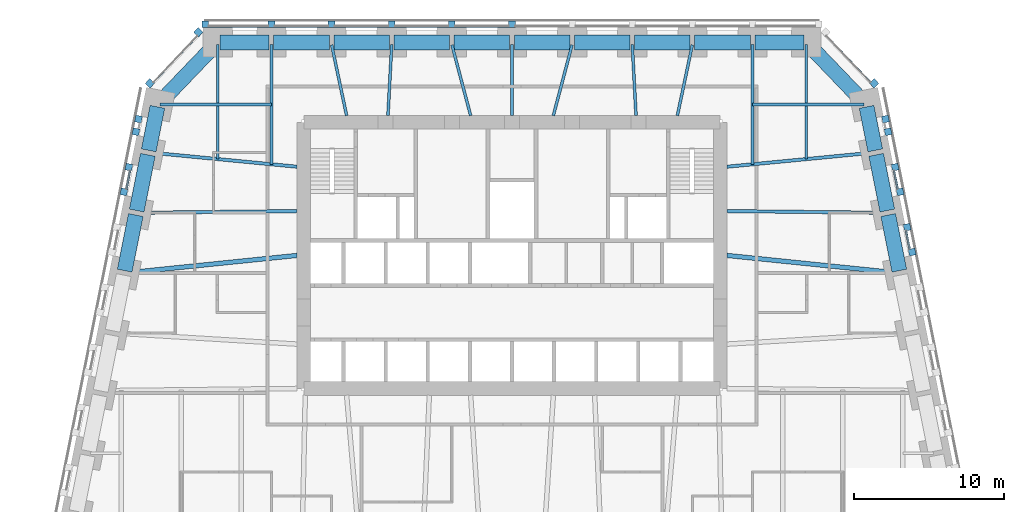
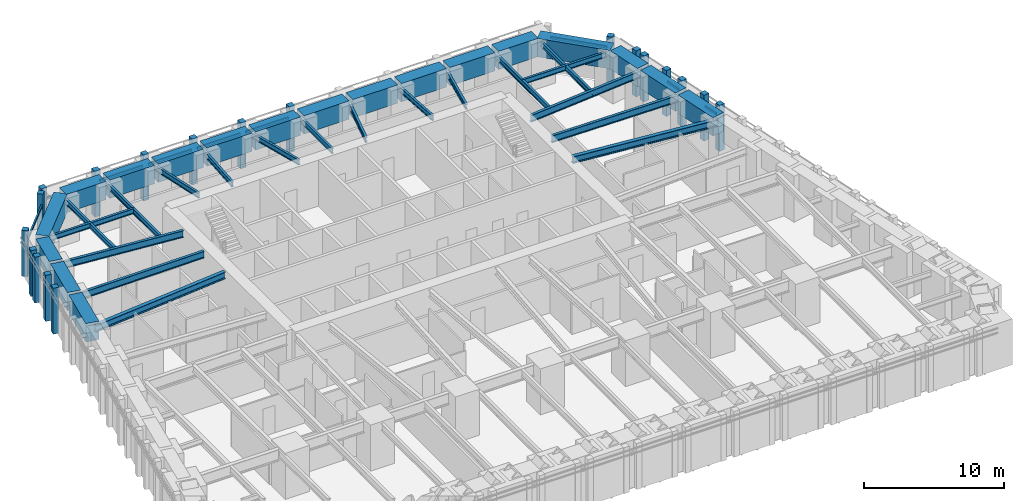
# One storey, part 4 of 16: 37 beams, 29 members, 8 elements without a shape of their own.
"""IFC4 building model written with IfcOpenShell, lengths in metres."""

from ifc_helpers import new_model, si_unit, direction, frame, origin, origin_2d, place, context, subcontext, project, spatial, rectangle, i_section, extrude, material, material_profile, profile_set, type_object, element, aggregate, save


model = new_model("IFC4")

# Units and contexts
model_context = context("Model", 3, precision=1e-05, world=origin(), true_north=direction((0.0, 1.0)))
body_context = subcontext(model_context, "Body", "Model", "MODEL_VIEW")
ifc_project = project(units=[si_unit("LENGTHUNIT", "METRE"), si_unit("AREAUNIT", "SQUARE_METRE"), si_unit("VOLUMEUNIT", "CUBIC_METRE"), si_unit("PLANEANGLEUNIT", "RADIAN"), si_unit("MASSUNIT", "GRAM", prefix="KILO")], contexts=[model_context])

# Site, building, storey
site_placement = place(None, origin())
site = spatial("IfcSite", under=ifc_project, at=site_placement, CompositionType="ELEMENT")
building_placement = place(site_placement, origin())
building = spatial("IfcBuilding", under=site, at=building_placement, Name="Isbrekke Arena Tower", CompositionType="ELEMENT")
storey_placement = place(building_placement, frame((0.0, 0.0, 44.0)))
storey = spatial("IfcBuildingStorey", under=building, at=storey_placement, Name="L08", CompositionType="ELEMENT", Elevation=44.0)

# Beams
ifc_material_1 = material(Name="Steel S355", Category="steel")
ifc_material_profile_1 = material_profile(ifc_material_1, i_section(OverallWidth=0.219970703125, OverallDepth=0.60009765625, WebThickness=0.011962890625, FlangeThickness=0.01904296875, FilletRadius=0.02392578125, at=origin_2d()), Name="IPE 600")
ifc_profile_set_1 = profile_set([ifc_material_profile_1], Name="Steel S355")
beam_type_1 = type_object("IfcBeamType", Name="B1 IPE 600", PredefinedType="BEAM", material=ifc_profile_set_1)
beam_1_placement = place(storey_placement, frame((24.83984375, 17.838134765625, 3.550048828125), z_axis=(-0.999943729589, 0.010608376645, 0.0), x_axis=(-0.010608376645, -0.999943729589, 0.0)))
element("IfcBeam", 1, at=beam_1_placement, inside=storey, type_object=beam_type_1, Name="B1 beam E-E09 L08", PredefinedType="BEAM", context=body_context, shape_type="SweptSolid", body=[
    extrude(i_section(OverallWidth=0.219970703125, OverallDepth=0.60009765625, WebThickness=0.011962890625, FlangeThickness=0.01904296875, FilletRadius=0.02392578125, at=origin_2d()), origin(), (0.0, 0.0, 1.0), 10.540283203125),
])
for number, where, z_axis, x_axis, name in (
    (2, (24.030517578125, 21.837158203125, 3.550048828125), (-0.995393091527, -0.095878012805, 0.0), (0.095878012805, -0.995393091527, 0.0), "B1 beam E-E10 L08"),
    (3, (-24.030517578125, 21.837158203125, 3.550048828125), (0.995393091527, -0.095878012805, 0.0), (0.095878012805, 0.995393091527, 0.0), "B1 beam E-W02 L08"),
):
    element("IfcBeam", number, at=place(storey_placement, frame(where, z_axis=z_axis, x_axis=x_axis)), inside=storey, type_object=beam_type_1, Name=name, PredefinedType="BEAM", context=body_context, shape_type="SweptSolid", body=[
        extrude(i_section(OverallWidth=0.219970703125, OverallDepth=0.60009765625, WebThickness=0.011962890625, FlangeThickness=0.01904296875, FilletRadius=0.02392578125, at=origin_2d()), origin(), (0.0, 0.0, 1.0), 9.775390625),
    ])
beam_2_placement = place(storey_placement, frame((-24.83984375, 17.838134765625, 3.550048828125), z_axis=(0.999943729589, 0.010608376645, 0.0), x_axis=(-0.010608376645, 0.999943729589, 0.0)))
element("IfcBeam", 4, at=beam_2_placement, inside=storey, type_object=beam_type_1, Name="B1 beam E-W03 L08", PredefinedType="BEAM", context=body_context, shape_type="SweptSolid", body=[
    extrude(i_section(OverallWidth=0.219970703125, OverallDepth=0.60009765625, WebThickness=0.011962890625, FlangeThickness=0.01904296875, FilletRadius=0.02392578125, at=origin_2d()), origin(), (0.0, 0.0, 1.0), 10.540283203125),
])
ifc_material_2 = material(Name="Steel S355", Category="steel")
ifc_material_profile_2 = material_profile(ifc_material_2, i_section(OverallWidth=0.18994140625, OverallDepth=0.449951171875, WebThickness=0.009521484375, FlangeThickness=0.0146484375, FilletRadius=0.02099609375, at=origin_2d()), Name="IPE 450")
ifc_profile_set_2 = profile_set([ifc_material_profile_2], Name="Steel S355")
beam_type_2 = type_object("IfcBeamType", Name="B2 IPE 450", PredefinedType="BEAM", material=ifc_profile_set_2)
for number, where, z_axis, x_axis, name in (
    (5, (23.40283203125, 25.029296875, 3.625), (-1.0, 0.0, 0.0), (0.0, -1.0, 0.0), "B2 beam E-E11 L08"),
    (6, (-23.40283203125, 25.029296875, 3.625), (1.0, 0.0, 0.0), (0.0, 1.0, 0.0), "B2 beam E-W01 L08"),
):
    element("IfcBeam", number, at=place(storey_placement, frame(where, z_axis=z_axis, x_axis=x_axis)), inside=storey, type_object=beam_type_2, Name=name, PredefinedType="BEAM", context=body_context, shape_type="SweptSolid", body=[
        extrude(i_section(OverallWidth=0.18994140625, OverallDepth=0.449951171875, WebThickness=0.009521484375, FlangeThickness=0.0146484375, FilletRadius=0.02099609375, at=origin_2d()), origin(), (0.0, 0.0, 1.0), 7.40283203125),
    ])
ifc_material_3 = material(Name="Steel S355", Category="steel")
ifc_material_profile_3 = material_profile(ifc_material_3, i_section(OverallWidth=0.18994140625, OverallDepth=0.449951171875, WebThickness=0.009521484375, FlangeThickness=0.0146484375, FilletRadius=0.02099609375, at=origin_2d()), Name="IPE 450")
ifc_profile_set_3 = profile_set([ifc_material_profile_3], Name="Steel S355")
beam_type_3 = type_object("IfcBeamType", Name="B3 IPE 450", PredefinedType="BEAM", material=ifc_profile_set_3)
beam_3_placement = place(storey_placement, frame((19.574951171875, 29.02490234375, 3.625), z_axis=(0.0, -1.0, 0.0), x_axis=(1.0, 0.0, 0.0)))
element("IfcBeam", 7, at=beam_3_placement, inside=storey, type_object=beam_type_3, Name="B3 beam N-N01 L08", PredefinedType="BEAM", context=body_context, shape_type="SweptSolid", body=[
    extrude(i_section(OverallWidth=0.18994140625, OverallDepth=0.449951171875, WebThickness=0.009521484375, FlangeThickness=0.0146484375, FilletRadius=0.02099609375, at=origin_2d()), origin(), (0.0, 0.0, 1.0), 7.616943359375),
])
for number, where, z_axis, x_axis, name in (
    (8, (16.0, 29.02490234375, 3.625), (0.0, -1.0, 0.0), (1.0, 0.0, 0.0), "B3 beam N-N02 L08"),
    (9, (-16.0, 29.02490234375, 3.625), (0.0, -1.0, 0.0), (1.0, 0.0, 0.0), "B3 beam N-N10 L08"),
):
    element("IfcBeam", number, at=place(storey_placement, frame(where, z_axis=z_axis, x_axis=x_axis)), inside=storey, type_object=beam_type_3, Name=name, PredefinedType="BEAM", context=body_context, shape_type="SweptSolid", body=[
        extrude(i_section(OverallWidth=0.18994140625, OverallDepth=0.449951171875, WebThickness=0.009521484375, FlangeThickness=0.0146484375, FilletRadius=0.02099609375, at=origin_2d()), origin(), (0.0, 0.0, 1.0), 7.961181640625),
    ])
beam_4_placement = place(storey_placement, frame((-19.574951171875, 29.02490234375, 3.625), z_axis=(0.0, -1.0, 0.0), x_axis=(1.0, 0.0, 0.0)))
element("IfcBeam", 10, at=beam_4_placement, inside=storey, type_object=beam_type_3, Name="B3 beam N-N11 L08", PredefinedType="BEAM", context=body_context, shape_type="SweptSolid", body=[
    extrude(i_section(OverallWidth=0.18994140625, OverallDepth=0.449951171875, WebThickness=0.009521484375, FlangeThickness=0.0146484375, FilletRadius=0.02099609375, at=origin_2d()), origin(), (0.0, 0.0, 1.0), 7.616943359375),
])
beam_5_placement = place(storey_placement, frame((11.995849609375, 29.005859375, 3.625), z_axis=(-0.207036135686, -0.978333296234, 0.0), x_axis=(0.978333296234, -0.207036135686, 0.0)))
element("IfcBeam", 11, at=beam_5_placement, inside=storey, type_object=beam_type_3, Name="B3 beam N-N03 L08", PredefinedType="BEAM", context=body_context, shape_type="SweptSolid", body=[
    extrude(i_section(OverallWidth=0.18994140625, OverallDepth=0.449951171875, WebThickness=0.009521484375, FlangeThickness=0.0146484375, FilletRadius=0.02099609375, at=origin_2d()), origin(), (0.0, 0.0, 1.0), 4.81005859375),
])
beam_6_placement = place(storey_placement, frame((8.000244140625, 29.02001953125, 3.625), z_axis=(0.05284078094, -0.998602950061, 0.0), x_axis=(0.998602950061, 0.05284078094, 0.0)))
element("IfcBeam", 12, at=beam_6_placement, inside=storey, type_object=beam_type_3, Name="B3 beam N-N04 L08", PredefinedType="BEAM", context=body_context, shape_type="SweptSolid", body=[
    extrude(i_section(OverallWidth=0.18994140625, OverallDepth=0.449951171875, WebThickness=0.009521484375, FlangeThickness=0.0146484375, FilletRadius=0.02099609375, at=origin_2d()), origin(), (0.0, 0.0, 1.0), 4.7265625),
])
beam_7_placement = place(storey_placement, frame((3.993896484375, 29.00146484375, 3.625), z_axis=(-0.255778031922, -0.966735536942, 0.0), x_axis=(0.966735536942, -0.255778031922, 0.0)))
element("IfcBeam", 13, at=beam_7_placement, inside=storey, type_object=beam_type_3, Name="B3 beam N-N05 L08", PredefinedType="BEAM", context=body_context, shape_type="SweptSolid", body=[
    extrude(i_section(OverallWidth=0.18994140625, OverallDepth=0.449951171875, WebThickness=0.009521484375, FlangeThickness=0.0146484375, FilletRadius=0.02099609375, at=origin_2d()), origin(), (0.0, 0.0, 1.0), 4.86328125),
])
beam_8_placement = place(storey_placement, frame((0.0, 29.02490234375, 3.625), z_axis=(0.0, -1.0, 0.0), x_axis=(1.0, 0.0, 0.0)))
element("IfcBeam", 14, at=beam_8_placement, inside=storey, type_object=beam_type_3, Name="B3 beam N-N06 L08", PredefinedType="BEAM", context=body_context, shape_type="SweptSolid", body=[
    extrude(i_section(OverallWidth=0.18994140625, OverallDepth=0.449951171875, WebThickness=0.009521484375, FlangeThickness=0.0146484375, FilletRadius=0.02099609375, at=origin_2d()), origin(), (0.0, 0.0, 1.0), 4.724853515625),
])
beam_9_placement = place(storey_placement, frame((-3.993896484375, 29.00146484375, 3.625), z_axis=(0.255778031922, -0.966735536942, 0.0), x_axis=(0.966735536942, 0.255778031922, 0.0)))
element("IfcBeam", 15, at=beam_9_placement, inside=storey, type_object=beam_type_3, Name="B3 beam N-N07 L08", PredefinedType="BEAM", context=body_context, shape_type="SweptSolid", body=[
    extrude(i_section(OverallWidth=0.18994140625, OverallDepth=0.449951171875, WebThickness=0.009521484375, FlangeThickness=0.0146484375, FilletRadius=0.02099609375, at=origin_2d()), origin(), (0.0, 0.0, 1.0), 4.86328125),
])
beam_10_placement = place(storey_placement, frame((-8.000244140625, 29.02001953125, 3.625), z_axis=(-0.05284078094, -0.998602950061, 0.0), x_axis=(0.998602950061, -0.05284078094, 0.0)))
element("IfcBeam", 16, at=beam_10_placement, inside=storey, type_object=beam_type_3, Name="B3 beam N-N08 L08", PredefinedType="BEAM", context=body_context, shape_type="SweptSolid", body=[
    extrude(i_section(OverallWidth=0.18994140625, OverallDepth=0.449951171875, WebThickness=0.009521484375, FlangeThickness=0.0146484375, FilletRadius=0.02099609375, at=origin_2d()), origin(), (0.0, 0.0, 1.0), 4.7265625),
])
beam_11_placement = place(storey_placement, frame((-11.995849609375, 29.005859375, 3.625), z_axis=(0.207036135686, -0.978333296234, 0.0), x_axis=(0.978333296234, 0.207036135686, 0.0)))
element("IfcBeam", 17, at=beam_11_placement, inside=storey, type_object=beam_type_3, Name="B3 beam N-N09 L08", PredefinedType="BEAM", context=body_context, shape_type="SweptSolid", body=[
    extrude(i_section(OverallWidth=0.18994140625, OverallDepth=0.449951171875, WebThickness=0.009521484375, FlangeThickness=0.0146484375, FilletRadius=0.02099609375, at=origin_2d()), origin(), (0.0, 0.0, 1.0), 4.81005859375),
])
ifc_material_4 = material(Name="Steel S355", Category="steel")
ifc_material_profile_4 = material_profile(ifc_material_4, i_section(OverallWidth=0.300048828125, OverallDepth=0.60009765625, WebThickness=0.015380859375, FlangeThickness=0.030029296875, FilletRadius=0.027099609375, at=origin_2d()), Name="HEB 600")
ifc_profile_set_4 = profile_set([ifc_material_profile_4], Name="Steel S355")
beam_type_4 = type_object("IfcBeamType", Name="B7 HEB 600", PredefinedType="BEAM", material=ifc_profile_set_4)
for number, where, z_axis, x_axis, name in (
    (18, (25.625732421875, 13.83984375, 3.550048828125), (-0.994794378016, 0.101902627384, 0.0), (-0.101902627384, -0.994794378016, 0.0), "B7 beam E-E08 L08"),
    (19, (-25.625732421875, 13.83984375, 3.550048828125), (0.994794378016, 0.101902627384, 0.0), (-0.101902627384, 0.994794378016, 0.0), "B7 beam E-W04 L08"),
):
    element("IfcBeam", number, at=place(storey_placement, frame(where, z_axis=z_axis, x_axis=x_axis)), inside=storey, type_object=beam_type_4, Name=name, PredefinedType="BEAM", context=body_context, shape_type="SweptSolid", body=[
        extrude(i_section(OverallWidth=0.300048828125, OverallDepth=0.60009765625, WebThickness=0.015380859375, FlangeThickness=0.030029296875, FilletRadius=0.027099609375, at=origin_2d()), origin(), (0.0, 0.0, 1.0), 11.385009765625),
    ])

# Curtain wall, members
ifc_material_5 = material(Name="Glazed aluminium curtain wall", Category="aluminium")
curtain_wall_type = type_object("IfcCurtainWallType", Name="CWL TOWER CURTAIN WALL LOW ZONE", PredefinedType="USERDEFINED", material=ifc_material_5)
curtain_wall_1_placement = place(storey_placement, origin())
curtain_wall_1 = element("IfcCurtainWall", 20, at=curtain_wall_1_placement, inside=storey, type_object=curtain_wall_type, Name="CWL curtain wall L08-E15", ObjectType="TOWER CURTAIN WALL LOW ZONE", PredefinedType="USERDEFINED")
ifc_material_6 = material(Name="Aluminium mullion, pale brick slip cladding", Category="masonry")
ifc_material_profile_5 = material_profile(ifc_material_6, rectangle(XDim=0.449951171875, YDim=0.449951171875, at=origin_2d()), Name="PIER 450X450")
ifc_profile_set_5 = profile_set([ifc_material_profile_5], Name="Aluminium mullion, pale brick slip cladding")
member_type_1 = type_object("IfcMemberType", Name="CWL-M PIER MULLION 450 x 450", PredefinedType="MULLION", material=ifc_profile_set_5)
member_1_placement = place(storey_placement, frame((26.60986328125, 15.225830078125, 0.0), z_axis=(0.0, 0.0, 1.0), x_axis=(-0.196116135138, 0.980580675691, 0.0)))
member_1 = element("IfcMember", 21, at=member_1_placement, type_object=member_type_1, Name="CWL-M mullion 1", PredefinedType="MULLION", context=body_context, shape_type="SweptSolid", body=[
    extrude(rectangle(XDim=0.449951171875, YDim=0.449951171875, at=origin_2d()), origin(), (0.0, 0.0, 1.0), 4.0),
])
member_2_placement = place(storey_placement, frame((26.280517578125, 16.872314453125, 0.0), z_axis=(0.0, 0.0, 1.0), x_axis=(-0.196116135138, 0.980580675691, 0.0)))
member_2 = element("IfcMember", 22, at=member_2_placement, type_object=member_type_1, Name="CWL-M mullion 2", PredefinedType="MULLION", context=body_context, shape_type="SweptSolid", body=[
    extrude(rectangle(XDim=0.449951171875, YDim=0.449951171875, at=origin_2d()), origin(), (0.0, 0.0, 1.0), 4.0),
])

curtain_wall_2_placement = place(storey_placement, origin())
curtain_wall_2 = element("IfcCurtainWall", 23, at=curtain_wall_2_placement, inside=storey, type_object=curtain_wall_type, Name="CWL curtain wall L08-E17", ObjectType="TOWER CURTAIN WALL LOW ZONE", PredefinedType="USERDEFINED")
member_3_placement = place(storey_placement, frame((25.809814453125, 19.225830078125, 0.0), z_axis=(0.0, 0.0, 1.0), x_axis=(-0.196116135138, 0.980580675691, 0.0)))
member_3 = element("IfcMember", 24, at=member_3_placement, type_object=member_type_1, Name="CWL-M mullion 1", PredefinedType="MULLION", context=body_context, shape_type="SweptSolid", body=[
    extrude(rectangle(XDim=0.449951171875, YDim=0.449951171875, at=origin_2d()), origin(), (0.0, 0.0, 1.0), 4.0),
])
member_4_placement = place(storey_placement, frame((25.48046875, 20.872314453125, 0.0), z_axis=(0.0, 0.0, 1.0), x_axis=(-0.196116135138, 0.980580675691, 0.0)))
member_4 = element("IfcMember", 25, at=member_4_placement, type_object=member_type_1, Name="CWL-M mullion 2", PredefinedType="MULLION", context=body_context, shape_type="SweptSolid", body=[
    extrude(rectangle(XDim=0.449951171875, YDim=0.449951171875, at=origin_2d()), origin(), (0.0, 0.0, 1.0), 4.0),
])

curtain_wall_3_placement = place(storey_placement, origin())
curtain_wall_3 = element("IfcCurtainWall", 26, at=curtain_wall_3_placement, inside=storey, type_object=curtain_wall_type, Name="CWL curtain wall L08-E19", ObjectType="TOWER CURTAIN WALL LOW ZONE", PredefinedType="USERDEFINED")
member_5_placement = place(storey_placement, frame((25.009765625, 23.225830078125, 0.0), z_axis=(0.0, 0.0, 1.0), x_axis=(-0.196116135138, 0.980580675691, 0.0)))
member_5 = element("IfcMember", 27, at=member_5_placement, type_object=member_type_1, Name="CWL-M mullion 1", PredefinedType="MULLION", context=body_context, shape_type="SweptSolid", body=[
    extrude(rectangle(XDim=0.449951171875, YDim=0.449951171875, at=origin_2d()), origin(), (0.0, 0.0, 1.0), 4.0),
])
member_6_placement = place(storey_placement, frame((24.841796875, 24.065185546875, 0.0), z_axis=(0.0, 0.0, 1.0), x_axis=(-0.196116135138, 0.980580675691, 0.0)))
member_6 = element("IfcMember", 28, at=member_6_placement, type_object=member_type_1, Name="CWL-M mullion 2", PredefinedType="MULLION", context=body_context, shape_type="SweptSolid", body=[
    extrude(rectangle(XDim=0.449951171875, YDim=0.449951171875, at=origin_2d()), origin(), (0.0, 0.0, 1.0), 4.0),
])
aggregate(curtain_wall_3, [member_5, member_6])

# Curtain wall, member
curtain_wall_4_placement = place(storey_placement, origin())
curtain_wall_4 = element("IfcCurtainWall", 29, at=curtain_wall_4_placement, inside=storey, type_object=curtain_wall_type, Name="CWL curtain wall L08-EN", ObjectType="TOWER CURTAIN WALL LOW ZONE", PredefinedType="USERDEFINED")
member_7_placement = place(storey_placement, frame((24.08837890625, 26.444091796875, 0.0), z_axis=(0.0, 0.0, 1.0), x_axis=(-0.68874946192, 0.72499943359, 0.0)))
member_7 = element("IfcMember", 30, at=member_7_placement, type_object=member_type_1, Name="CWL-M mullion 1", PredefinedType="MULLION", context=body_context, shape_type="SweptSolid", body=[
    extrude(rectangle(XDim=0.449951171875, YDim=0.449951171875, at=origin_2d()), origin(), (0.0, 0.0, 1.0), 4.0),
])

# Curtain wall, members
curtain_wall_5_placement = place(storey_placement, origin())
curtain_wall_5 = element("IfcCurtainWall", 31, at=curtain_wall_5_placement, inside=storey, type_object=curtain_wall_type, Name="CWL curtain wall L08-N", ObjectType="TOWER CURTAIN WALL LOW ZONE", PredefinedType="USERDEFINED")
member_8_placement = place(storey_placement, frame((0.0, 30.375, 0.0), z_axis=(0.0, 0.0, 1.0), x_axis=(-1.0, 0.0, 0.0)))
member_8 = element("IfcMember", 32, at=member_8_placement, type_object=member_type_1, Name="CWL-M mullion 6", PredefinedType="MULLION", context=body_context, shape_type="SweptSolid", body=[
    extrude(rectangle(XDim=0.449951171875, YDim=0.449951171875, at=origin_2d()), origin(), (0.0, 0.0, 1.0), 4.0),
])
member_9_placement = place(storey_placement, frame((-4.0, 30.375, 0.0), z_axis=(0.0, 0.0, 1.0), x_axis=(-1.0, 0.0, 0.0)))
member_9 = element("IfcMember", 33, at=member_9_placement, type_object=member_type_1, Name="CWL-M mullion 7", PredefinedType="MULLION", context=body_context, shape_type="SweptSolid", body=[
    extrude(rectangle(XDim=0.449951171875, YDim=0.449951171875, at=origin_2d()), origin(), (0.0, 0.0, 1.0), 4.0),
])
member_10_placement = place(storey_placement, frame((-8.0, 30.375, 0.0), z_axis=(0.0, 0.0, 1.0), x_axis=(-1.0, 0.0, 0.0)))
member_10 = element("IfcMember", 34, at=member_10_placement, type_object=member_type_1, Name="CWL-M mullion 8", PredefinedType="MULLION", context=body_context, shape_type="SweptSolid", body=[
    extrude(rectangle(XDim=0.449951171875, YDim=0.449951171875, at=origin_2d()), origin(), (0.0, 0.0, 1.0), 4.0),
])
member_11_placement = place(storey_placement, frame((-12.0, 30.375, 0.0), z_axis=(0.0, 0.0, 1.0), x_axis=(-1.0, 0.0, 0.0)))
member_11 = element("IfcMember", 35, at=member_11_placement, type_object=member_type_1, Name="CWL-M mullion 9", PredefinedType="MULLION", context=body_context, shape_type="SweptSolid", body=[
    extrude(rectangle(XDim=0.449951171875, YDim=0.449951171875, at=origin_2d()), origin(), (0.0, 0.0, 1.0), 4.0),
])
member_12_placement = place(storey_placement, frame((-16.0, 30.375, 0.0), z_axis=(0.0, 0.0, 1.0), x_axis=(-1.0, 0.0, 0.0)))
member_12 = element("IfcMember", 36, at=member_12_placement, type_object=member_type_1, Name="CWL-M mullion 10", PredefinedType="MULLION", context=body_context, shape_type="SweptSolid", body=[
    extrude(rectangle(XDim=0.449951171875, YDim=0.449951171875, at=origin_2d()), origin(), (0.0, 0.0, 1.0), 4.0),
])
member_13_placement = place(storey_placement, frame((-20.39990234375, 30.375, 0.0), z_axis=(0.0, 0.0, 1.0), x_axis=(-1.0, 0.0, 0.0)))
member_13 = element("IfcMember", 37, at=member_13_placement, type_object=member_type_1, Name="CWL-M mullion 11", PredefinedType="MULLION", context=body_context, shape_type="SweptSolid", body=[
    extrude(rectangle(XDim=0.449951171875, YDim=0.449951171875, at=origin_2d()), origin(), (0.0, 0.0, 1.0), 4.0),
])

curtain_wall_6_placement = place(storey_placement, origin())
curtain_wall_6 = element("IfcCurtainWall", 38, at=curtain_wall_6_placement, inside=storey, type_object=curtain_wall_type, Name="CWL curtain wall L08-NW", ObjectType="TOWER CURTAIN WALL LOW ZONE", PredefinedType="USERDEFINED")
member_14_placement = place(storey_placement, frame((-20.86572265625, 29.83642578125, 0.0), z_axis=(0.0, 0.0, 1.0), x_axis=(-0.68874946192, -0.72499943359, 0.0)))
member_14 = element("IfcMember", 39, at=member_14_placement, type_object=member_type_1, Name="CWL-M mullion 1", PredefinedType="MULLION", context=body_context, shape_type="SweptSolid", body=[
    extrude(rectangle(XDim=0.449951171875, YDim=0.449951171875, at=origin_2d()), origin(), (0.0, 0.0, 1.0), 4.0),
])
member_15_placement = place(storey_placement, frame((-24.087890625, 26.44482421875, 0.0), z_axis=(0.0, 0.0, 1.0), x_axis=(-0.68874946192, -0.72499943359, 0.0)))
member_15 = element("IfcMember", 40, at=member_15_placement, type_object=member_type_1, Name="CWL-M mullion 2", PredefinedType="MULLION", context=body_context, shape_type="SweptSolid", body=[
    extrude(rectangle(XDim=0.449951171875, YDim=0.449951171875, at=origin_2d()), origin(), (0.0, 0.0, 1.0), 4.0),
])

curtain_wall_7_placement = place(storey_placement, origin())
curtain_wall_7 = element("IfcCurtainWall", 41, at=curtain_wall_7_placement, inside=storey, type_object=curtain_wall_type, Name="CWL curtain wall L08-W", ObjectType="TOWER CURTAIN WALL LOW ZONE", PredefinedType="USERDEFINED")
member_16_placement = place(storey_placement, frame((-24.841796875, 24.065185546875, 0.0), z_axis=(0.0, 0.0, 1.0), x_axis=(-0.196116135138, -0.980580675691, 0.0)))
member_16 = element("IfcMember", 42, at=member_16_placement, type_object=member_type_1, Name="CWL-M mullion 1", PredefinedType="MULLION", context=body_context, shape_type="SweptSolid", body=[
    extrude(rectangle(XDim=0.449951171875, YDim=0.449951171875, at=origin_2d()), origin(), (0.0, 0.0, 1.0), 4.0),
])
member_17_placement = place(storey_placement, frame((-25.009765625, 23.225830078125, 0.0), z_axis=(0.0, 0.0, 1.0), x_axis=(-0.196116135138, -0.980580675691, 0.0)))
member_17 = element("IfcMember", 43, at=member_17_placement, type_object=member_type_1, Name="CWL-M mullion 2", PredefinedType="MULLION", context=body_context, shape_type="SweptSolid", body=[
    extrude(rectangle(XDim=0.449951171875, YDim=0.449951171875, at=origin_2d()), origin(), (0.0, 0.0, 1.0), 4.0),
])
aggregate(curtain_wall_7, [member_16, member_17])

curtain_wall_8_placement = place(storey_placement, origin())
curtain_wall_8 = element("IfcCurtainWall", 44, at=curtain_wall_8_placement, inside=storey, type_object=curtain_wall_type, Name="CWL curtain wall L08-W3", ObjectType="TOWER CURTAIN WALL LOW ZONE", PredefinedType="USERDEFINED")
member_18_placement = place(storey_placement, frame((-25.48046875, 20.872314453125, 0.0), z_axis=(0.0, 0.0, 1.0), x_axis=(-0.196116135138, -0.980580675691, 0.0)))
member_18 = element("IfcMember", 45, at=member_18_placement, type_object=member_type_1, Name="CWL-M mullion 1", PredefinedType="MULLION", context=body_context, shape_type="SweptSolid", body=[
    extrude(rectangle(XDim=0.449951171875, YDim=0.449951171875, at=origin_2d()), origin(), (0.0, 0.0, 1.0), 4.0),
])
member_19_placement = place(storey_placement, frame((-25.809814453125, 19.225830078125, 0.0), z_axis=(0.0, 0.0, 1.0), x_axis=(-0.196116135138, -0.980580675691, 0.0)))
member_19 = element("IfcMember", 46, at=member_19_placement, type_object=member_type_1, Name="CWL-M mullion 2", PredefinedType="MULLION", context=body_context, shape_type="SweptSolid", body=[
    extrude(rectangle(XDim=0.449951171875, YDim=0.449951171875, at=origin_2d()), origin(), (0.0, 0.0, 1.0), 4.0),
])

# Member
ifc_material_7 = material(Name="Aluminium transom", Category="aluminium")
ifc_material_profile_6 = material_profile(ifc_material_7, rectangle(XDim=0.1201171875, YDim=0.199951171875, at=origin_2d()), Name="TRANSOM 120X200")
ifc_profile_set_6 = profile_set([ifc_material_profile_6], Name="Aluminium transom")
member_type_2 = type_object("IfcMemberType", Name="CWL-T TRANSOM 120 x 200", PredefinedType="USERDEFINED", material=ifc_profile_set_6)
member_20_placement = place(storey_placement, frame((26.443115234375, 15.421875, 3.0), z_axis=(-0.196039741533, 0.980595951317, 0.0), x_axis=(-0.980595951317, -0.196039741533, 0.0)))
member_20 = element("IfcMember", 47, at=member_20_placement, type_object=member_type_2, Name="CWL-T transom 1", ObjectType="TRANSOM", PredefinedType="USERDEFINED", context=body_context, shape_type="SweptSolid", body=[
    extrude(rectangle(XDim=0.1201171875, YDim=0.199951171875, at=origin_2d()), origin(), (0.0, 0.0, 1.0), 1.229248046875),
])

aggregate(curtain_wall_1, [member_1, member_2, member_20])

member_21_placement = place(storey_placement, frame((25.64306640625, 19.421875, 3.0), z_axis=(-0.196039741533, 0.980595951317, 0.0), x_axis=(-0.980595951317, -0.196039741533, 0.0)))
member_21 = element("IfcMember", 48, at=member_21_placement, type_object=member_type_2, Name="CWL-T transom 1", ObjectType="TRANSOM", PredefinedType="USERDEFINED", context=body_context, shape_type="SweptSolid", body=[
    extrude(rectangle(XDim=0.1201171875, YDim=0.199951171875, at=origin_2d()), origin(), (0.0, 0.0, 1.0), 1.229248046875),
])

aggregate(curtain_wall_2, [member_3, member_4, member_21])

member_22_placement = place(storey_placement, frame((23.8427734375, 26.521240234375, 3.0), z_axis=(-0.688776771287, 0.724973488712, 0.0), x_axis=(-0.724973488712, -0.688776771287, 0.0)))
member_22 = element("IfcMember", 49, at=member_22_placement, type_object=member_type_2, Name="CWL-T transom 1", ObjectType="TRANSOM", PredefinedType="USERDEFINED", context=body_context, shape_type="SweptSolid", body=[
    extrude(rectangle(XDim=0.1201171875, YDim=0.199951171875, at=origin_2d()), origin(), (0.0, 0.0, 1.0), 4.22900390625),
])

aggregate(curtain_wall_4, [member_7, member_22])

member_23_placement = place(storey_placement, frame((-0.22509765625, 30.25, 3.0), z_axis=(-1.0, 0.0, 0.0), x_axis=(0.0, -1.0, 0.0)))
member_23 = element("IfcMember", 50, at=member_23_placement, type_object=member_type_2, Name="CWL-T transom 6", ObjectType="TRANSOM", PredefinedType="USERDEFINED", context=body_context, shape_type="SweptSolid", body=[
    extrude(rectangle(XDim=0.1201171875, YDim=0.199951171875, at=origin_2d()), origin(), (0.0, 0.0, 1.0), 3.5498046875),
])

member_24_placement = place(storey_placement, frame((-4.22509765625, 30.25, 3.0), z_axis=(-1.0, 0.0, 0.0), x_axis=(0.0, -1.0, 0.0)))
member_24 = element("IfcMember", 51, at=member_24_placement, type_object=member_type_2, Name="CWL-T transom 7", ObjectType="TRANSOM", PredefinedType="USERDEFINED", context=body_context, shape_type="SweptSolid", body=[
    extrude(rectangle(XDim=0.1201171875, YDim=0.199951171875, at=origin_2d()), origin(), (0.0, 0.0, 1.0), 3.5498046875),
])

member_25_placement = place(storey_placement, frame((-8.22509765625, 30.25, 3.0), z_axis=(-1.0, 0.0, 0.0), x_axis=(0.0, -1.0, 0.0)))
member_25 = element("IfcMember", 52, at=member_25_placement, type_object=member_type_2, Name="CWL-T transom 8", ObjectType="TRANSOM", PredefinedType="USERDEFINED", context=body_context, shape_type="SweptSolid", body=[
    extrude(rectangle(XDim=0.1201171875, YDim=0.199951171875, at=origin_2d()), origin(), (0.0, 0.0, 1.0), 3.5498046875),
])

member_26_placement = place(storey_placement, frame((-12.22509765625, 30.25, 3.0), z_axis=(-1.0, 0.0, 0.0), x_axis=(0.0, -1.0, 0.0)))
member_26 = element("IfcMember", 53, at=member_26_placement, type_object=member_type_2, Name="CWL-T transom 9", ObjectType="TRANSOM", PredefinedType="USERDEFINED", context=body_context, shape_type="SweptSolid", body=[
    extrude(rectangle(XDim=0.1201171875, YDim=0.199951171875, at=origin_2d()), origin(), (0.0, 0.0, 1.0), 3.5498046875),
])

member_27_placement = place(storey_placement, frame((-16.22509765625, 30.25, 3.0), z_axis=(-1.0, 0.0, 0.0), x_axis=(0.0, -1.0, 0.0)))
member_27 = element("IfcMember", 54, at=member_27_placement, type_object=member_type_2, Name="CWL-T transom 10", ObjectType="TRANSOM", PredefinedType="USERDEFINED", context=body_context, shape_type="SweptSolid", body=[
    extrude(rectangle(XDim=0.1201171875, YDim=0.199951171875, at=origin_2d()), origin(), (0.0, 0.0, 1.0), 3.949951171875),
])

aggregate(curtain_wall_5, [member_8, member_9, member_10, member_11, member_12, member_13, member_23, member_24, member_25, member_26, member_27])

member_28_placement = place(storey_placement, frame((-20.93017578125, 29.587158203125, 3.0), z_axis=(-0.6887433918, -0.725005200155, 0.0), x_axis=(0.725005200155, -0.6887433918, 0.0)))
member_28 = element("IfcMember", 55, at=member_28_placement, type_object=member_type_2, Name="CWL-T transom 1", ObjectType="TRANSOM", PredefinedType="USERDEFINED", context=body_context, shape_type="SweptSolid", body=[
    extrude(rectangle(XDim=0.1201171875, YDim=0.199951171875, at=origin_2d()), origin(), (0.0, 0.0, 1.0), 4.22802734375),
])

aggregate(curtain_wall_6, [member_14, member_15, member_28])

member_29_placement = place(storey_placement, frame((-25.402099609375, 20.627197265625, 3.0), z_axis=(-0.196039741533, -0.980595951317, 0.0), x_axis=(0.980595951317, -0.196039741533, 0.0)))
member_29 = element("IfcMember", 56, at=member_29_placement, type_object=member_type_2, Name="CWL-T transom 1", ObjectType="TRANSOM", PredefinedType="USERDEFINED", context=body_context, shape_type="SweptSolid", body=[
    extrude(rectangle(XDim=0.1201171875, YDim=0.199951171875, at=origin_2d()), origin(), (0.0, 0.0, 1.0), 1.229248046875),
])

aggregate(curtain_wall_8, [member_18, member_19, member_29])

# Beams
ifc_material_8 = material(Name="Concrete B90 (C90/105)", Category="concrete")
ifc_material_profile_7 = material_profile(ifc_material_8, rectangle(XDim=1.0, YDim=1.60009765625, at=origin_2d()), Name="RC 1000x1600")
ifc_profile_set_7 = profile_set([ifc_material_profile_7], Name="Concrete B90 (C90/105)")
beam_type_5 = type_object("IfcBeamType", Name="SB1 RC 1000 x 1600", PredefinedType="SPANDREL", material=ifc_profile_set_7)
for number, where, z_axis, x_axis, name in (
    (57, (25.76171875, 13.9853515625, 3.199951171875), (-0.196128558387, 0.980578190959, 0.0), (-0.980578190959, -0.196128558387, 0.0), "SB1 spandrel E08-E09 L08"),
    (58, (24.961669921875, 17.9853515625, 3.199951171875), (-0.196128558387, 0.980578190959, 0.0), (-0.980578190959, -0.196128558387, 0.0), "SB1 spandrel E09-E10 L08"),
):
    element("IfcBeam", number, at=place(storey_placement, frame(where, z_axis=z_axis, x_axis=x_axis)), inside=storey, type_object=beam_type_5, Name=name, PredefinedType="SPANDREL", context=body_context, shape_type="SweptSolid", body=[
        extrude(rectangle(XDim=1.0, YDim=1.60009765625, at=origin_2d()), origin(), (0.0, 0.0, 1.0), 3.779296875),
    ])
beam_12_placement = place(storey_placement, frame((24.16162109375, 21.9853515625, 3.199951171875), z_axis=(-0.196116135138, 0.980580675691, 0.0), x_axis=(-0.980580675691, -0.196116135138, 0.0)))
element("IfcBeam", 59, at=beam_12_placement, inside=storey, type_object=beam_type_5, Name="SB1 spandrel E10-E11 L08", PredefinedType="SPANDREL", context=body_context, shape_type="SweptSolid", body=[
    extrude(rectangle(XDim=1.0, YDim=1.60009765625, at=origin_2d()), origin(), (0.0, 0.0, 1.0), 2.9541015625),
])
beam_13_placement = place(storey_placement, frame((23.448974609375, 25.137451171875, 3.199951171875), z_axis=(-0.692339547635, 0.721571861134, 0.0), x_axis=(-0.721571861134, -0.692339547635, 0.0)))
element("IfcBeam", 60, at=beam_13_placement, inside=storey, type_object=beam_type_5, Name="SB1 spandrel E11-N01 L08", PredefinedType="SPANDREL", context=body_context, shape_type="SweptSolid", body=[
    extrude(rectangle(XDim=1.0, YDim=1.60009765625, at=origin_2d()), origin(), (0.0, 0.0, 1.0), 5.4453125),
])
beam_14_placement = place(storey_placement, frame((19.425048828125, 29.175048828125, 3.199951171875), z_axis=(-1.0, 0.0, 0.0), x_axis=(0.0, -1.0, 0.0)))
element("IfcBeam", 61, at=beam_14_placement, inside=storey, type_object=beam_type_5, Name="SB1 spandrel N01-N02 L08", PredefinedType="SPANDREL", context=body_context, shape_type="SweptSolid", body=[
    extrude(rectangle(XDim=1.0, YDim=1.60009765625, at=origin_2d()), origin(), (0.0, 0.0, 1.0), 3.275146484375),
])
for number, where, z_axis, x_axis, name in (
    (62, (15.85009765625, 29.175048828125, 3.199951171875), (-1.0, 0.0, 0.0), (0.0, -1.0, 0.0), "SB1 spandrel N02-N03 L08"),
    (63, (11.85009765625, 29.175048828125, 3.199951171875), (-1.0, 0.0, 0.0), (0.0, -1.0, 0.0), "SB1 spandrel N03-N04 L08"),
    (64, (7.85009765625, 29.175048828125, 3.199951171875), (-1.0, 0.0, 0.0), (0.0, -1.0, 0.0), "SB1 spandrel N04-N05 L08"),
    (65, (3.85009765625, 29.175048828125, 3.199951171875), (-1.0, 0.0, 0.0), (0.0, -1.0, 0.0), "SB1 spandrel N05-N06 L08"),
    (66, (-0.14990234375, 29.175048828125, 3.199951171875), (-1.0, 0.0, 0.0), (0.0, -1.0, 0.0), "SB1 spandrel N06-N07 L08"),
    (67, (-4.14990234375, 29.175048828125, 3.199951171875), (-1.0, 0.0, 0.0), (0.0, -1.0, 0.0), "SB1 spandrel N07-N08 L08"),
    (68, (-8.14990234375, 29.175048828125, 3.199951171875), (-1.0, 0.0, 0.0), (0.0, -1.0, 0.0), "SB1 spandrel N08-N09 L08"),
    (69, (-12.14990234375, 29.175048828125, 3.199951171875), (-1.0, 0.0, 0.0), (0.0, -1.0, 0.0), "SB1 spandrel N09-N10 L08"),
):
    element("IfcBeam", number, at=place(storey_placement, frame(where, z_axis=z_axis, x_axis=x_axis)), inside=storey, type_object=beam_type_5, Name=name, PredefinedType="SPANDREL", context=body_context, shape_type="SweptSolid", body=[
        extrude(rectangle(XDim=1.0, YDim=1.60009765625, at=origin_2d()), origin(), (0.0, 0.0, 1.0), 3.7001953125),
    ])
beam_15_placement = place(storey_placement, frame((-16.14990234375, 29.175048828125, 3.199951171875), z_axis=(-1.0, 0.0, 0.0), x_axis=(0.0, -1.0, 0.0)))
element("IfcBeam", 70, at=beam_15_placement, inside=storey, type_object=beam_type_5, Name="SB1 spandrel N10-N11 L08", PredefinedType="SPANDREL", context=body_context, shape_type="SweptSolid", body=[
    extrude(rectangle(XDim=1.0, YDim=1.60009765625, at=origin_2d()), origin(), (0.0, 0.0, 1.0), 3.275146484375),
])
beam_16_placement = place(storey_placement, frame((-19.678955078125, 29.066650390625, 3.199951171875), z_axis=(-0.692339547635, -0.721571861134, 0.0), x_axis=(0.721571861134, -0.692339547635, 0.0)))
element("IfcBeam", 71, at=beam_16_placement, inside=storey, type_object=beam_type_5, Name="SB1 spandrel N11-W01 L08", PredefinedType="SPANDREL", context=body_context, shape_type="SweptSolid", body=[
    extrude(rectangle(XDim=1.0, YDim=1.60009765625, at=origin_2d()), origin(), (0.0, 0.0, 1.0), 5.4453125),
])
beam_17_placement = place(storey_placement, frame((-23.582275390625, 24.882080078125, 3.199951171875), z_axis=(-0.196116135138, -0.980580675691, 0.0), x_axis=(0.980580675691, -0.196116135138, 0.0)))
element("IfcBeam", 72, at=beam_17_placement, inside=storey, type_object=beam_type_5, Name="SB1 spandrel W01-W02 L08", PredefinedType="SPANDREL", context=body_context, shape_type="SweptSolid", body=[
    extrude(rectangle(XDim=1.0, YDim=1.60009765625, at=origin_2d()), origin(), (0.0, 0.0, 1.0), 2.9541015625),
])
for number, where, z_axis, x_axis, name in (
    (73, (-24.220458984375, 21.691162109375, 3.199951171875), (-0.196128558387, -0.980578190959, 0.0), (0.980578190959, -0.196128558387, 0.0), "SB1 spandrel W02-W03 L08"),
    (74, (-25.0205078125, 17.691162109375, 3.199951171875), (-0.196128558387, -0.980578190959, 0.0), (0.980578190959, -0.196128558387, 0.0), "SB1 spandrel W03-W04 L08"),
):
    element("IfcBeam", number, at=place(storey_placement, frame(where, z_axis=z_axis, x_axis=x_axis)), inside=storey, type_object=beam_type_5, Name=name, PredefinedType="SPANDREL", context=body_context, shape_type="SweptSolid", body=[
        extrude(rectangle(XDim=1.0, YDim=1.60009765625, at=origin_2d()), origin(), (0.0, 0.0, 1.0), 3.779296875),
    ])

save(model, "model.ifc")
